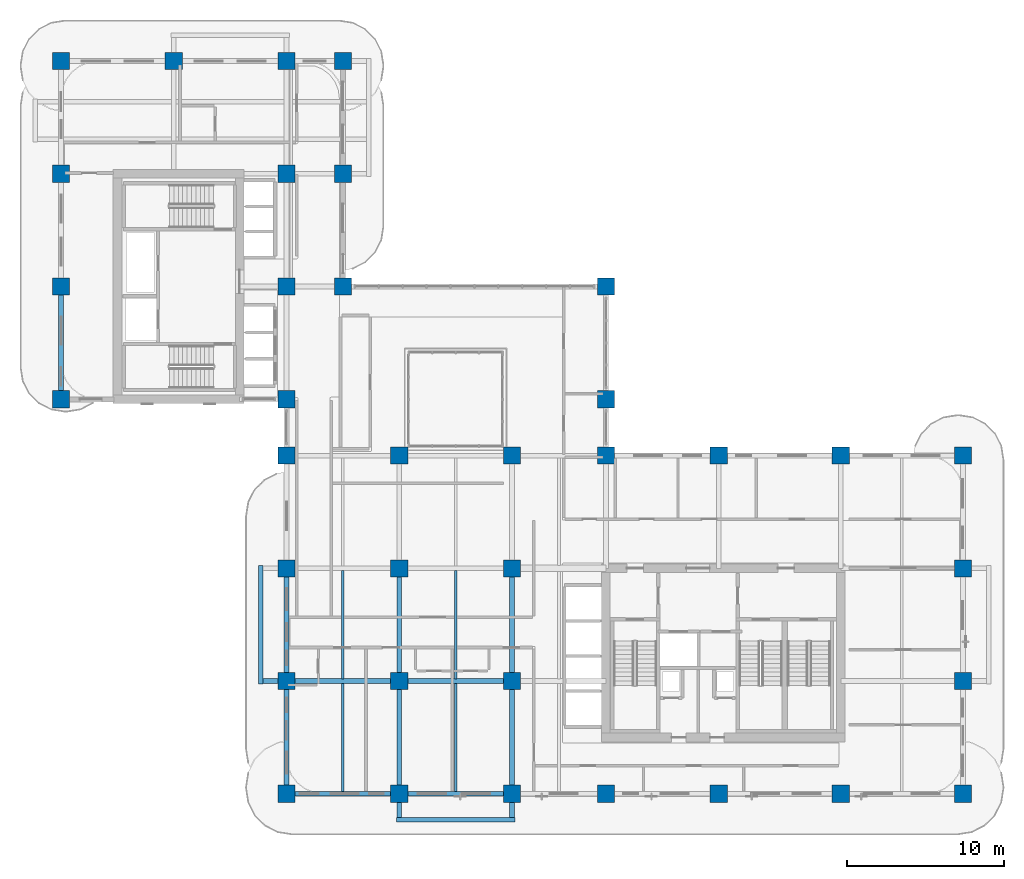
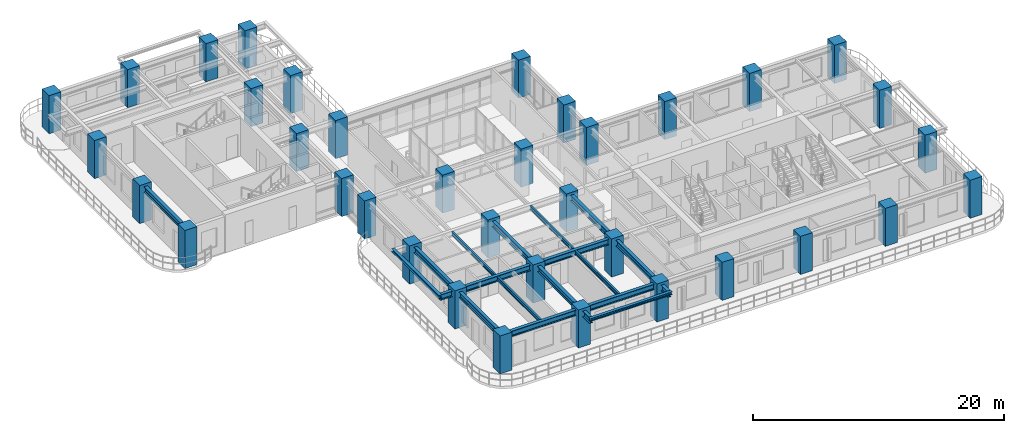
# One storey, part 1 of 22: 36 columns, 17 beams.
"""IFC4 building model written with IfcOpenShell, lengths in metres."""

from ifc_helpers import new_model, si_unit, derived_unit, direction, frame, origin, origin_2d, place, context, subcontext, project, spatial, rectangle, i_section, extrude, source, transform, mapped, material, material_profile, profile_set, type_object, type_shapes, element, save


model = new_model("IFC4")

# Units and contexts
model_context = context("Model", 3, precision=1e-05, world=origin(), true_north=direction((0.0, 1.0)))
body_context = subcontext(model_context, "Body", "Model", "MODEL_VIEW")
ifc_project = project(units=[si_unit("LENGTHUNIT", "METRE"), si_unit("AREAUNIT", "SQUARE_METRE"), si_unit("VOLUMEUNIT", "CUBIC_METRE"), si_unit("PLANEANGLEUNIT", "RADIAN"), si_unit("MASSUNIT", "GRAM", prefix="KILO"), si_unit("THERMODYNAMICTEMPERATUREUNIT", "KELVIN"), si_unit("POWERUNIT", "WATT"), derived_unit("THERMALTRANSMITTANCEUNIT", [(si_unit("POWERUNIT", "WATT"), 1), (si_unit("AREAUNIT", "SQUARE_METRE"), -1), (si_unit("THERMODYNAMICTEMPERATUREUNIT", "KELVIN"), -1)])], contexts=[model_context])

# Site, building, storey
site_placement = place(None, origin())
site = spatial("IfcSite", under=ifc_project, at=site_placement, CompositionType="ELEMENT")
building_placement = place(site_placement, origin())
building = spatial("IfcBuilding", under=site, at=building_placement, Name="Zahravan Archway Hotel and Residences", CompositionType="ELEMENT")
storey_placement = place(building_placement, frame((0.0, 0.0, 76.800048828125)))
storey = spatial("IfcBuildingStorey", under=building, at=storey_placement, Name="L18", CompositionType="ELEMENT", Elevation=76.800048828125)

# Columns
ifc_material_1 = material(Name="Concrete C70/85", Category="concrete")
ifc_material_profile_1 = material_profile(ifc_material_1, rectangle(XDim=1.10009765625, YDim=1.10009765625, at=origin_2d()), Name="RC 1100x1100", Category="concrete")
ifc_profile_set_1 = profile_set([ifc_material_profile_1], Name="Concrete C70/85")
column_type = type_object("IfcColumnType", Name="COL-RC-1100", PredefinedType="COLUMN", material=ifc_profile_set_1)
shared_shape_1 = source(origin(), body_context, "Body", "SweptSolid", [
    extrude(rectangle(XDim=1.10009765625, YDim=1.10009765625, at=origin_2d()), origin(), (0.0, 0.0, 1.0), 3.699951171875),
])
for number, where, z_axis, x_axis, name in (
    (1, (0.0, 25.199951171875, 0.0), (0.0, 0.0, 1.0), (1.0, 0.0, 0.0), "L18 Column 1-E"),
    (2, (0.0, 32.39990234375, 0.0), (0.0, 0.0, 1.0), (1.0, 0.0, 0.0), "L18 Column 1-F"),
    (3, (0.0, 39.60009765625, 0.0), (0.0, 0.0, 1.0), (1.0, 0.0, 0.0), "L18 Column 1-G"),
    (4, (0.0, 46.800048828125, 0.0), (0.0, 0.0, 1.0), (1.0, 0.0, 0.0), "L18 Column 1-H"),
    (5, (7.199951171875, 46.800048828125, 0.0), (0.0, 0.0, 1.0), (1.0, 0.0, 0.0), "L18 Column 2-H"),
    (6, (14.39990234375, 0.0, 0.0), (0.0, 0.0, 1.0), (1.0, 0.0, 0.0), "L18 Column 3-A"),
    (7, (14.39990234375, 7.199951171875, 0.0), (0.0, 0.0, 1.0), (1.0, 0.0, 0.0), "L18 Column 3-B"),
    (8, (14.39990234375, 14.39990234375, 0.0), (0.0, 0.0, 1.0), (1.0, 0.0, 0.0), "L18 Column 3-C"),
    (9, (14.39990234375, 21.60009765625, 0.0), (0.0, 0.0, 1.0), (1.0, 0.0, 0.0), "L18 Column 3-D"),
    (10, (14.39990234375, 25.199951171875, 0.0), (0.0, 0.0, 1.0), (1.0, 0.0, 0.0), "L18 Column 3-E"),
    (11, (14.39990234375, 32.39990234375, 0.0), (0.0, 0.0, 1.0), (1.0, 0.0, 0.0), "L18 Column 3-F"),
    (12, (14.39990234375, 39.60009765625, 0.0), (0.0, 0.0, 1.0), (1.0, 0.0, 0.0), "L18 Column 3-G"),
    (13, (14.39990234375, 46.800048828125, 0.0), (0.0, 0.0, 1.0), (1.0, 0.0, 0.0), "L18 Column 3-H"),
    (14, (21.60009765625, 0.0, 0.0), (0.0, 0.0, 1.0), (1.0, 0.0, 0.0), "L18 Column 4-A"),
    (15, (21.60009765625, 7.199951171875, 0.0), (0.0, 0.0, 1.0), (1.0, 0.0, 0.0), "L18 Column 4-B"),
    (16, (21.60009765625, 14.39990234375, 0.0), (0.0, 0.0, 1.0), (1.0, 0.0, 0.0), "L18 Column 4-C"),
    (17, (21.60009765625, 21.60009765625, 0.0), (0.0, 0.0, 1.0), (1.0, 0.0, 0.0), "L18 Column 4-D"),
    (18, (28.800048828125, 0.0, 0.0), (0.0, 0.0, 1.0), (1.0, 0.0, 0.0), "L18 Column 5-A"),
    (19, (28.800048828125, 7.199951171875, 0.0), (0.0, 0.0, 1.0), (1.0, 0.0, 0.0), "L18 Column 5-B"),
    (20, (28.800048828125, 14.39990234375, 0.0), (0.0, 0.0, 1.0), (1.0, 0.0, 0.0), "L18 Column 5-C"),
    (21, (28.800048828125, 21.60009765625, 0.0), (0.0, 0.0, 1.0), (1.0, 0.0, 0.0), "L18 Column 5-D"),
    (22, (34.800048828125, 0.0, 0.0), (0.0, 0.0, 1.0), (1.0, 0.0, 0.0), "L18 Column 6-A"),
    (23, (34.800048828125, 21.60009765625, 0.0), (0.0, 0.0, 1.0), (1.0, 0.0, 0.0), "L18 Column 6-D"),
    (24, (34.800048828125, 25.199951171875, 0.0), (0.0, 0.0, 1.0), (1.0, 0.0, 0.0), "L18 Column 6-E"),
    (25, (34.800048828125, 32.39990234375, 0.0), (0.0, 0.0, 1.0), (1.0, 0.0, 0.0), "L18 Column 6-F"),
    (26, (42.0, 0.0, 0.0), (0.0, 0.0, 1.0), (1.0, 0.0, 0.0), "L18 Column 7-A"),
    (27, (42.0, 21.60009765625, 0.0), (0.0, 0.0, 1.0), (1.0, 0.0, 0.0), "L18 Column 7-D"),
    (28, (49.800048828125, 0.0, 0.0), (0.0, 0.0, 1.0), (1.0, 0.0, 0.0), "L18 Column 8-A"),
    (29, (49.800048828125, 21.60009765625, 0.0), (0.0, 0.0, 1.0), (1.0, 0.0, 0.0), "L18 Column 8-D"),
    (30, (57.60009765625, 0.0, 0.0), (0.0, 0.0, 1.0), (1.0, 0.0, 0.0), "L18 Column 9-A"),
    (31, (57.60009765625, 7.199951171875, 0.0), (0.0, 0.0, 1.0), (1.0, 0.0, 0.0), "L18 Column 9-B"),
    (32, (57.60009765625, 14.39990234375, 0.0), (0.0, 0.0, 1.0), (1.0, 0.0, 0.0), "L18 Column 9-C"),
    (33, (57.60009765625, 21.60009765625, 0.0), (0.0, 0.0, 1.0), (1.0, 0.0, 0.0), "L18 Column 9-D"),
    (34, (18.0, 32.39990234375, 0.0), (0.0, 0.0, 1.0), (1.0, 0.0, 0.0), "L18 Column 3B-F"),
    (35, (18.0, 39.60009765625, 0.0), (0.0, 0.0, 1.0), (1.0, 0.0, 0.0), "L18 Column 3B-G"),
    (36, (18.0, 46.800048828125, 0.0), (0.0, 0.0, 1.0), (1.0, 0.0, 0.0), "L18 Column 3B-H"),
):
    element("IfcColumn", number, at=place(storey_placement, frame(where, z_axis=z_axis, x_axis=x_axis)), inside=storey, type_object=column_type, Name=name, PredefinedType="COLUMN", context=body_context, shape_type="MappedRepresentation", body=[
        mapped(shared_shape_1, transform((0.0, 0.0, 0.0), scale=1.0)),
    ])

# Beams
ifc_material_2 = material(Name="Structural Steel S355JR", Category="steel")
ifc_material_profile_2 = material_profile(ifc_material_2, i_section(OverallWidth=0.280029296875, OverallDepth=0.280029296875, WebThickness=0.010498046875, FlangeThickness=0.01806640625, FilletRadius=0.02392578125, at=origin_2d()), Name="HEB 280", Category="steel")
ifc_profile_set_2 = profile_set([ifc_material_profile_2], Name="Structural Steel S355JR")
beam_type_1 = type_object("IfcBeamType", Name="BM-SPN-HEB280", PredefinedType="SPANDREL", material=ifc_profile_set_2)
shared_shape_2 = source(origin(), body_context, "Body", "SweptSolid", [
    extrude(i_section(OverallWidth=0.280029296875, OverallDepth=0.280029296875, WebThickness=0.010498046875, FlangeThickness=0.01806640625, FilletRadius=0.02392578125, at=origin_2d()), origin(), (0.0, 0.0, 1.0), 7.56005859375),
])
type_shapes(beam_type_1, [shared_shape_2])
for number, where, z_axis, x_axis, name in (
    (37, (12.75, 7.02001953125, 3.31005859375), (0.0, 1.0, 0.0), (-1.0, 0.0, 0.0), "L19 WA Balcony Edge Spandrel"),
    (38, (21.419921875, -1.64990234375, 3.31005859375), (1.0, 0.0, 0.0), (0.0, 1.0, 0.0), "L19 SA Balcony Edge Spandrel"),
):
    element("IfcBeam", number, at=place(storey_placement, frame(where, z_axis=z_axis, x_axis=x_axis)), inside=storey, type_object=beam_type_1, Name=name, PredefinedType="SPANDREL", context=body_context, shape_type="MappedRepresentation", body=[
        mapped(shared_shape_2, transform((0.0, 0.0, 0.0), scale=1.0)),
    ])
ifc_material_profile_3 = material_profile(ifc_material_2, i_section(OverallWidth=0.300048828125, OverallDepth=0.550048828125, WebThickness=0.014892578125, FlangeThickness=0.029052734375, FilletRadius=0.027099609375, at=origin_2d()), Name="HEB 550", Category="steel")
ifc_profile_set_3 = profile_set([ifc_material_profile_3], Name="Structural Steel S355JR")
beam_type_2 = type_object("IfcBeamType", Name="BM-PRI-HEB550", PredefinedType="BEAM", material=ifc_profile_set_3)
shared_shape_3 = source(origin(), body_context, "Body", "SweptSolid", [
    extrude(i_section(OverallWidth=0.300048828125, OverallDepth=0.550048828125, WebThickness=0.014892578125, FlangeThickness=0.029052734375, FilletRadius=0.027099609375, at=origin_2d()), origin(), (0.0, 0.0, 1.0), 7.2001953125),
])
type_shapes(beam_type_2, [shared_shape_3])
beam_1_placement = place(storey_placement, frame((14.39990234375, 0.0, 3.175048828125), z_axis=(1.0, 0.0, 0.0), x_axis=(0.0, 1.0, 0.0)))
element("IfcBeam", 39, at=beam_1_placement, inside=storey, type_object=beam_type_2, Name="L18 Primary Girder EW-01", PredefinedType="BEAM", context=body_context, shape_type="MappedRepresentation", body=[
    mapped(shared_shape_3, transform((0.0, 0.0, 0.0), scale=1.0)),
])
shared_shape_4 = source(origin(), body_context, "Body", "SweptSolid", [
    extrude(i_section(OverallWidth=0.300048828125, OverallDepth=0.550048828125, WebThickness=0.014892578125, FlangeThickness=0.029052734375, FilletRadius=0.027099609375, at=origin_2d()), origin(), (0.0, 0.0, 1.0), 7.199951171875),
])
for number, where, z_axis, x_axis, name in (
    (40, (21.60009765625, 0.0, 3.175048828125), (1.0, 0.0, 0.0), (0.0, 1.0, 0.0), "L18 Primary Girder EW-02"),
    (41, (21.60009765625, 7.199951171875, 3.175048828125), (1.0, 0.0, 0.0), (0.0, 1.0, 0.0), "L18 Primary Girder EW-08"),
    (42, (0.0, 25.199951171875, 3.175048828125), (0.0, 1.0, 0.0), (-1.0, 0.0, 0.0), "L18 Primary Girder NS-28"),
    (43, (14.39990234375, 0.0, 3.175048828125), (0.0, 1.0, 0.0), (-1.0, 0.0, 0.0), "L18 Primary Girder NS-32"),
    (44, (14.39990234375, 7.199951171875, 3.175048828125), (0.0, 1.0, 0.0), (-1.0, 0.0, 0.0), "L18 Primary Girder NS-33"),
    (45, (21.60009765625, 7.199951171875, 3.175048828125), (0.0, 1.0, 0.0), (-1.0, 0.0, 0.0), "L18 Primary Girder NS-40"),
    (46, (28.800048828125, 7.199951171875, 3.175048828125), (0.0, 1.0, 0.0), (-1.0, 0.0, 0.0), "L18 Primary Girder NS-43"),
):
    element("IfcBeam", number, at=place(storey_placement, frame(where, z_axis=z_axis, x_axis=x_axis)), inside=storey, type_object=beam_type_2, Name=name, PredefinedType="BEAM", context=body_context, shape_type="MappedRepresentation", body=[
        mapped(shared_shape_4, transform((0.0, 0.0, 0.0), scale=1.0)),
    ])
shared_shape_5 = source(origin(), body_context, "Body", "SweptSolid", [
    extrude(i_section(OverallWidth=0.300048828125, OverallDepth=0.550048828125, WebThickness=0.014892578125, FlangeThickness=0.029052734375, FilletRadius=0.027099609375, at=origin_2d()), origin(), (0.0, 0.0, 1.0), 8.85009765625),
])
beam_2_placement = place(storey_placement, frame((12.75, 7.199951171875, 3.175048828125), z_axis=(1.0, 0.0, 0.0), x_axis=(0.0, 1.0, 0.0)))
element("IfcBeam", 47, at=beam_2_placement, inside=storey, type_object=beam_type_2, Name="L18 Primary Girder EW-07", PredefinedType="BEAM", context=body_context, shape_type="MappedRepresentation", body=[
    mapped(shared_shape_5, transform((0.0, 0.0, 0.0), scale=1.0)),
])
shared_shape_6 = source(origin(), body_context, "Body", "SweptSolid", [
    extrude(i_section(OverallWidth=0.300048828125, OverallDepth=0.550048828125, WebThickness=0.014892578125, FlangeThickness=0.029052734375, FilletRadius=0.027099609375, at=origin_2d()), origin(), (0.0, 0.0, 1.0), 8.849853515625),
])
for number, where, z_axis, x_axis, name in (
    (48, (21.60009765625, -1.64990234375, 3.175048828125), (0.0, 1.0, 0.0), (-1.0, 0.0, 0.0), "L18 Primary Girder NS-39"),
    (49, (28.800048828125, -1.64990234375, 3.175048828125), (0.0, 1.0, 0.0), (-1.0, 0.0, 0.0), "L18 Primary Girder NS-42"),
):
    element("IfcBeam", number, at=place(storey_placement, frame(where, z_axis=z_axis, x_axis=x_axis)), inside=storey, type_object=beam_type_2, Name=name, PredefinedType="BEAM", context=body_context, shape_type="MappedRepresentation", body=[
        mapped(shared_shape_6, transform((0.0, 0.0, 0.0), scale=1.0)),
    ])
ifc_material_profile_4 = material_profile(ifc_material_2, i_section(OverallWidth=0.169921875, OverallDepth=0.360107421875, WebThickness=0.008056640625, FlangeThickness=0.0126953125, FilletRadius=0.01806640625, at=origin_2d()), Name="IPE 360", Category="steel")
ifc_profile_set_4 = profile_set([ifc_material_profile_4], Name="Structural Steel S355JR")
beam_type_3 = type_object("IfcBeamType", Name="BM-JST-IPE360", PredefinedType="JOIST", material=ifc_profile_set_4)
shared_shape_7 = source(origin(), body_context, "Body", "SweptSolid", [
    extrude(i_section(OverallWidth=0.169921875, OverallDepth=0.360107421875, WebThickness=0.008056640625, FlangeThickness=0.0126953125, FilletRadius=0.01806640625, at=origin_2d()), origin(), (0.0, 0.0, 1.0), 6.904052734375),
])
type_shapes(beam_type_3, [shared_shape_7])
for number, where, z_axis, x_axis, name in (
    (50, (18.0, 0.14794921875, 3.27001953125), (0.0, 1.0, 0.0), (-1.0, 0.0, 0.0), "L18 Composite Floor Joist 01"),
    (51, (25.199951171875, 0.14794921875, 3.27001953125), (0.0, 1.0, 0.0), (-1.0, 0.0, 0.0), "L18 Composite Floor Joist 02"),
    (52, (18.0, 7.347900390625, 3.27001953125), (0.0, 1.0, 0.0), (-1.0, 0.0, 0.0), "L18 Composite Floor Joist 05"),
    (53, (25.199951171875, 7.347900390625, 3.27001953125), (0.0, 1.0, 0.0), (-1.0, 0.0, 0.0), "L18 Composite Floor Joist 06"),
):
    element("IfcBeam", number, at=place(storey_placement, frame(where, z_axis=z_axis, x_axis=x_axis)), inside=storey, type_object=beam_type_3, Name=name, PredefinedType="JOIST", context=body_context, shape_type="MappedRepresentation", body=[
        mapped(shared_shape_7, transform((0.0, 0.0, 0.0), scale=1.0)),
    ])

save(model, "model.ifc")
